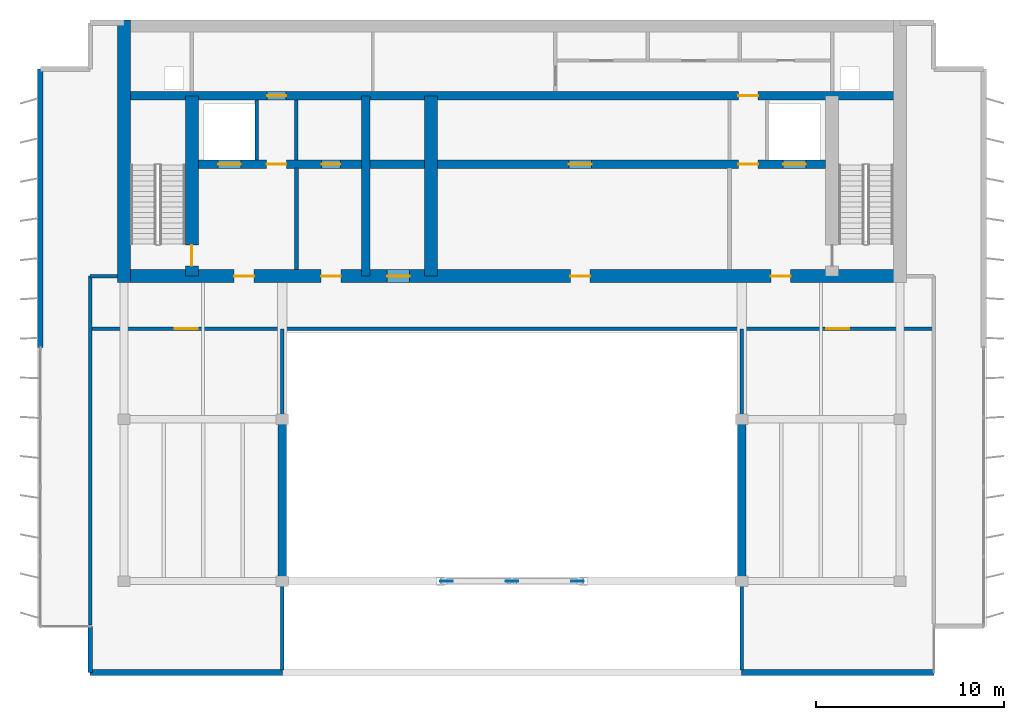
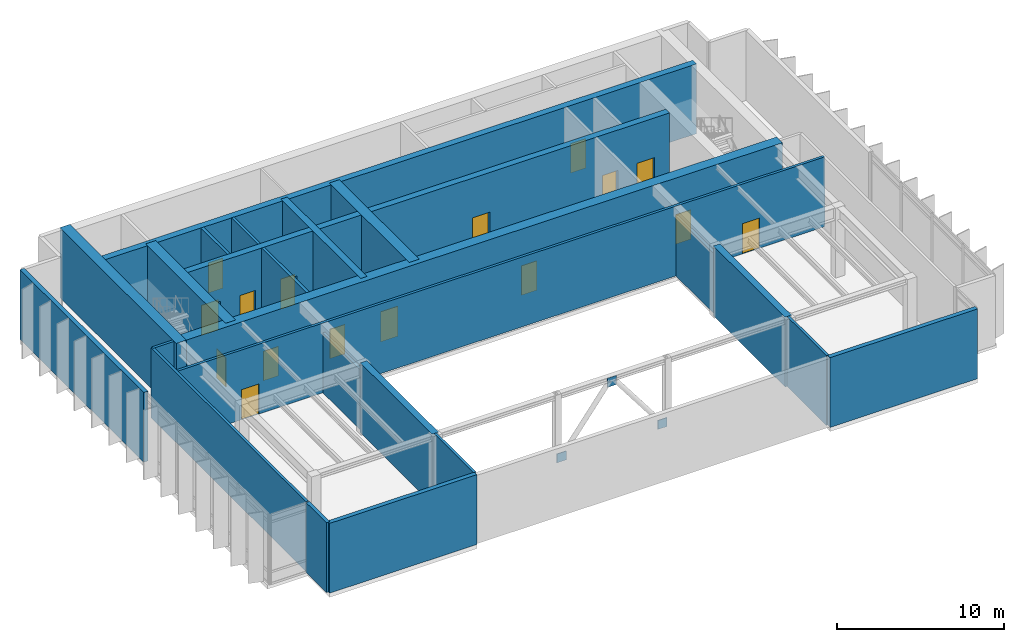
# One storey, part 5 of 9: 23 walls, 16 doors, 3 plates, 16 openings.
"""IFC4 building model written with IfcOpenShell, lengths in metres."""

from ifc_helpers import new_model, si_unit, direction, frame, frame_2d, origin, origin_2d, place, context, subcontext, project, spatial, rectangle, extrude, material, layer, layer_set, type_object, element, fill, save


model = new_model("IFC4")

# Units and contexts
model_context = context("Model", 3, precision=1e-05, world=origin(), true_north=direction((0.0, 1.0)))
body_context = subcontext(model_context, "Body", "Model", "MODEL_VIEW")
ifc_project = project(units=[si_unit("LENGTHUNIT", "METRE"), si_unit("AREAUNIT", "SQUARE_METRE"), si_unit("VOLUMEUNIT", "CUBIC_METRE"), si_unit("PLANEANGLEUNIT", "RADIAN"), si_unit("MASSUNIT", "GRAM", prefix="KILO")], contexts=[model_context])

# Site, building, storey
site_placement = place(None, origin())
site = spatial("IfcSite", under=ifc_project, at=site_placement, CompositionType="ELEMENT")
building_placement = place(site_placement, origin())
building = spatial("IfcBuilding", under=site, at=building_placement, Name="Caelmar Bay Residences", CompositionType="ELEMENT")
storey_placement = place(building_placement, frame((0.0, 0.0, 290.199951171875)))
storey = spatial("IfcBuildingStorey", under=building, at=storey_placement, Name="L80", CompositionType="ELEMENT", Elevation=290.199951171875)

# Plates
ifc_material_1 = material(Name="Steel ASTM A572 Grade 50", Category="steel")
ifc_layer_1 = layer(ifc_material_1, 0.044921875)
ifc_layer_set_1 = layer_set([ifc_layer_1], Name="Steel ASTM A572 Grade 50")
plate_type = type_object("IfcPlateType", Name="PLT-GUS-45", PredefinedType="USERDEFINED", material=ifc_layer_set_1)
for number, where, z_axis, x_axis, name in (
    (1, (35.41552734375, 20.800048828125, -0.0048828125), (0.0, 0.0, 1.0), (1.0, 0.0, 0.0), "L80 Structural Node Gusset Plate PLT-PRT-L80L"),
    (2, (42.384521484375, 20.800048828125, -0.0048828125), (0.0, 0.0, 1.0), (1.0, 0.0, 0.0), "L80 Structural Node Gusset Plate PLT-PRT-L80R"),
    (3, (38.89990234375, 20.800048828125, 4.297119140625), (0.0, 0.0, 1.0), (1.0, 0.0, 0.0), "L80 Structural Node Gusset Plate PLT-PRT-L80"),
):
    element("IfcPlate", number, at=place(storey_placement, frame(where, z_axis=z_axis, x_axis=x_axis)), inside=storey, type_object=plate_type, Name=name, ObjectType="GUSSET_PLATE", PredefinedType="USERDEFINED", context=body_context, shape_type="SweptSolid", body=[
        extrude(rectangle(XDim=0.64990234375, YDim=0.044921875, at=origin_2d()), origin(), (0.0, 0.0, 1.0), 0.64990234375),
    ])

# Wall, openings, doors
ifc_material_2 = material(Name="Concrete f'c 55 MPa (8,000 psi)", Category="concrete")
ifc_layer_2 = layer(ifc_material_2, 0.699951171875)
ifc_layer_set_2 = layer_set([ifc_layer_2], Name="Concrete f'c 55 MPa (8,000 psi)")
wall_type_1 = type_object("IfcWallType", Name="SW-COR-700", PredefinedType="SHEAR", material=ifc_layer_set_2)
wall_1_placement = place(storey_placement, frame((17.949951171875, 37.0, 0.0), z_axis=(0.0, 0.0, 1.0), x_axis=(1.0, 0.0, 0.0)))
wall_1 = element("IfcWall", 4, at=wall_1_placement, inside=storey, type_object=wall_type_1, Name="L80 Rear Core South Shear Wall", PredefinedType="SHEAR", context=body_context, shape_type="SweptSolid", body=[
    extrude(rectangle(XDim=41.900146484375, YDim=0.699951171875, at=frame_2d((20.9501953125, 0.0))), origin(), (0.0, 0.0, 1.0), 5.10009765625),
])
opening_1_placement = place(wall_1_placement, frame((14.3125, 0.0, 0.0)))
opening_1 = element("IfcOpeningElement", 5, at=opening_1_placement, cuts=wall_1, Name="Opening D-L80-103", PredefinedType="OPENING", context=body_context, shape_type="SweptSolid", body=[
    extrude(rectangle(XDim=1.199951171875, YDim=2.199951171875, at=frame_2d((0.60009765625, 1.10009765625))), frame((0.0, 0.35986328125, 0.0), z_axis=(0.0, -1.0, 0.0), x_axis=(1.0, 0.0, 0.0)), (0.0, 0.0, 1.0), 0.719970703125),
])
opening_2_placement = place(wall_1_placement, frame((6.199951171875, 0.0, 0.0)))
opening_2 = element("IfcOpeningElement", 6, at=opening_2_placement, cuts=wall_1, Name="Opening D-L80-104", PredefinedType="OPENING", context=body_context, shape_type="SweptSolid", body=[
    extrude(rectangle(XDim=1.050048828125, YDim=2.14990234375, at=frame_2d((0.52490234375, 1.074951171875))), frame((0.0, 0.35986328125, 0.0), z_axis=(0.0, -1.0, 0.0), x_axis=(1.0, 0.0, 0.0)), (0.0, 0.0, 1.0), 0.719970703125),
])
opening_3_placement = place(wall_1_placement, frame((34.699951171875, 0.0, 0.0)))
opening_3 = element("IfcOpeningElement", 7, at=opening_3_placement, cuts=wall_1, Name="Opening D-L80-107", PredefinedType="OPENING", context=body_context, shape_type="SweptSolid", body=[
    extrude(rectangle(XDim=1.050048828125, YDim=2.14990234375, at=frame_2d((0.52490234375, 1.074951171875))), frame((0.0, 0.35986328125, 0.0), z_axis=(0.0, -1.0, 0.0), x_axis=(1.0, 0.0, 0.0)), (0.0, 0.0, 1.0), 0.719970703125),
])
opening_4_placement = place(wall_1_placement, frame((10.8125, 0.0, 0.0)))
opening_4 = element("IfcOpeningElement", 8, at=opening_4_placement, cuts=wall_1, Name="Opening D-L80-110", PredefinedType="OPENING", context=body_context, shape_type="SweptSolid", body=[
    extrude(rectangle(XDim=1.050048828125, YDim=2.14990234375, at=frame_2d((0.52490234375, 1.074951171875))), frame((0.0, 0.35986328125, 0.0), z_axis=(0.0, -1.0, 0.0), x_axis=(1.0, 0.0, 0.0)), (0.0, 0.0, 1.0), 0.719970703125),
])
opening_5_placement = place(wall_1_placement, frame((24.050048828125, 0.0, 0.0)))
opening_5 = element("IfcOpeningElement", 9, at=opening_5_placement, cuts=wall_1, Name="Opening D-L80-112", PredefinedType="OPENING", context=body_context, shape_type="SweptSolid", body=[
    extrude(rectangle(XDim=1.050048828125, YDim=2.14990234375, at=frame_2d((0.52490234375, 1.074951171875))), frame((0.0, 0.35986328125, 0.0), z_axis=(0.0, -1.0, 0.0), x_axis=(1.0, 0.0, 0.0)), (0.0, 0.0, 1.0), 0.719970703125),
])
ifc_material_3 = material(Name="Fire-rated steel and walnut architectural door assembly", Category="steel")
ifc_layer_3 = layer(ifc_material_3, 0.050048828125)
ifc_layer_set_3 = layer_set([ifc_layer_3], Name="Fire-rated steel and walnut architectural door assembly")
door_type_1 = type_object("IfcDoorType", Name="D-FSAE-1050", OperationType="NOTDEFINED", PredefinedType="DOOR", material=ifc_layer_set_3)
door_1_placement = place(opening_2_placement, origin())
door_1 = element("IfcDoor", 10, at=door_1_placement, inside=storey, type_object=door_type_1, Name="L80 Firefighting Lobby West Door", OperationType="SINGLE_SWING_RIGHT", OverallHeight=2.14990234375, OverallWidth=1.050048828125, PredefinedType="DOOR", context=body_context, shape_type="SweptSolid", body=[
    extrude(rectangle(XDim=1.050048828125, YDim=2.14990234375, at=frame_2d((0.52490234375, 1.074951171875))), frame((0.0, 0.02490234375, 0.0), z_axis=(0.0, -1.0, 0.0), x_axis=(1.0, 0.0, 0.0)), (0.0, 0.0, 1.0), 0.050048828125),
])
fill(opening_2, door_1)
door_2_placement = place(opening_3_placement, origin())
door_2 = element("IfcDoor", 11, at=door_2_placement, inside=storey, type_object=door_type_1, Name="L80 Firefighting Lobby East Door", OperationType="SINGLE_SWING_LEFT", OverallHeight=2.14990234375, OverallWidth=1.050048828125, PredefinedType="DOOR", context=body_context, shape_type="SweptSolid", body=[
    extrude(rectangle(XDim=1.050048828125, YDim=2.14990234375, at=frame_2d((0.52490234375, 1.074951171875))), frame((0.0, 0.02490234375, 0.0), z_axis=(0.0, -1.0, 0.0), x_axis=(1.0, 0.0, 0.0)), (0.0, 0.0, 1.0), 0.050048828125),
])
fill(opening_3, door_2)
door_3_placement = place(opening_4_placement, origin())
door_3 = element("IfcDoor", 12, at=door_3_placement, inside=storey, type_object=door_type_1, Name="L80 West Lift Lobby Door", OperationType="SINGLE_SWING_RIGHT", OverallHeight=2.14990234375, OverallWidth=1.050048828125, PredefinedType="DOOR", context=body_context, shape_type="SweptSolid", body=[
    extrude(rectangle(XDim=1.050048828125, YDim=2.14990234375, at=frame_2d((0.52490234375, 1.074951171875))), frame((0.0, 0.02490234375, 0.0), z_axis=(0.0, -1.0, 0.0), x_axis=(1.0, 0.0, 0.0)), (0.0, 0.0, 1.0), 0.050048828125),
])
fill(opening_4, door_3)
door_4_placement = place(opening_5_placement, origin())
door_4 = element("IfcDoor", 13, at=door_4_placement, inside=storey, type_object=door_type_1, Name="L80 Passenger Lift Lobby Door", OperationType="SINGLE_SWING_RIGHT", OverallHeight=2.14990234375, OverallWidth=1.050048828125, PredefinedType="DOOR", context=body_context, shape_type="SweptSolid", body=[
    extrude(rectangle(XDim=1.050048828125, YDim=2.14990234375, at=frame_2d((0.52490234375, 1.074951171875))), frame((0.0, 0.02490234375, 0.0), z_axis=(0.0, -1.0, 0.0), x_axis=(1.0, 0.0, 0.0)), (0.0, 0.0, 1.0), 0.050048828125),
])
fill(opening_5, door_4)
ifc_layer_4 = layer(ifc_material_3, 0.050048828125)
ifc_layer_set_4 = layer_set([ifc_layer_4], Name="Fire-rated steel and walnut architectural door assembly")
door_type_2 = type_object("IfcDoorType", Name="D-PLANT-1200", OperationType="NOTDEFINED", PredefinedType="DOOR", material=ifc_layer_set_4)
door_5_placement = place(opening_1_placement, origin())
door_5 = element("IfcDoor", 14, at=door_5_placement, inside=storey, type_object=door_type_2, Name="L80 Crown Pressurisation Fan Room Door", OperationType="SINGLE_SWING_LEFT", OverallHeight=2.199951171875, OverallWidth=1.199951171875, PredefinedType="DOOR", context=body_context, shape_type="SweptSolid", body=[
    extrude(rectangle(XDim=1.199951171875, YDim=2.199951171875, at=frame_2d((0.60009765625, 1.10009765625))), frame((0.0, 0.02490234375, 0.0), z_axis=(0.0, -1.0, 0.0), x_axis=(1.0, 0.0, 0.0)), (0.0, 0.0, 1.0), 0.050048828125),
])
fill(opening_1, door_5)

# Wall
wall_2_placement = place(storey_placement, frame((18.300048828125, 36.64990234375, 0.0), z_axis=(0.0, 0.0, 1.0), x_axis=(0.0, 1.0, 0.0)))
element("IfcWall", 15, at=wall_2_placement, inside=storey, type_object=wall_type_1, Name="L80 Rear Core West Shear Wall", PredefinedType="SHEAR", context=body_context, shape_type="SweptSolid", body=[
    extrude(rectangle(XDim=13.9501953125, YDim=0.699951171875, at=frame_2d((6.97509765625, 0.0))), origin(), (0.0, 0.0, 1.0), 5.10009765625),
])

# Wall, opening, door
wall_3_placement = place(storey_placement, frame((21.89990234375, 37.0, 0.0), z_axis=(0.0, 0.0, 1.0), x_axis=(0.0, 1.0, 0.0)))
wall_3 = element("IfcWall", 16, at=wall_3_placement, inside=storey, type_object=wall_type_1, Name="L80 Core Structural Web Wall ST1E", PredefinedType="SHEAR", context=body_context, shape_type="SweptSolid", body=[
    extrude(rectangle(XDim=9.574951171875, YDim=0.699951171875, at=frame_2d((4.78759765625, 0.0))), origin(), (0.0, 0.0, 1.0), 5.10009765625),
])
opening_6_placement = place(wall_3_placement, frame((0.550048828125, 0.0, 0.0)))
opening_6 = element("IfcOpeningElement", 17, at=opening_6_placement, cuts=wall_3, Name="Opening D-L80-105", PredefinedType="OPENING", context=body_context, shape_type="SweptSolid", body=[
    extrude(rectangle(XDim=1.10009765625, YDim=2.14990234375, at=frame_2d((0.550048828125, 1.074951171875))), frame((0.0, 0.35986328125, 0.0), z_axis=(0.0, -1.0, 0.0), x_axis=(1.0, 0.0, 0.0)), (0.0, 0.0, 1.0), 0.719970703125),
])
ifc_layer_5 = layer(ifc_material_3, 0.050048828125)
ifc_layer_set_5 = layer_set([ifc_layer_5], Name="Fire-rated steel and walnut architectural door assembly")
door_type_3 = type_object("IfcDoorType", Name="D-STAIR-1100", OperationType="NOTDEFINED", PredefinedType="DOOR", material=ifc_layer_set_5)
door_6_placement = place(opening_6_placement, origin())
door_6 = element("IfcDoor", 18, at=door_6_placement, inside=storey, type_object=door_type_3, Name="L80 Firefighting Lobby West Door", OperationType="SINGLE_SWING_LEFT", OverallHeight=2.14990234375, OverallWidth=1.10009765625, PredefinedType="DOOR", context=body_context, shape_type="SweptSolid", body=[
    extrude(rectangle(XDim=1.10009765625, YDim=2.14990234375, at=frame_2d((0.550048828125, 1.074951171875))), frame((0.0, 0.02490234375, 0.0), z_axis=(0.0, -1.0, 0.0), x_axis=(1.0, 0.0, 0.0)), (0.0, 0.0, 1.0), 0.050048828125),
])
fill(opening_6, door_6)

# Walls
wall_4_placement = place(storey_placement, frame((34.60009765625, 37.0, 0.0), z_axis=(0.0, 0.0, 1.0), x_axis=(0.0, 1.0, 0.0)))
element("IfcWall", 19, at=wall_4_placement, inside=storey, type_object=wall_type_1, Name="L80 Core Structural Web Wall ST3E", PredefinedType="SHEAR", context=body_context, shape_type="SweptSolid", body=[
    extrude(rectangle(XDim=9.574951171875, YDim=0.699951171875, at=frame_2d((4.78759765625, 0.0))), origin(), (0.0, 0.0, 1.0), 5.10009765625),
])
ifc_material_4 = material(Name="Concrete f'c 70 MPa (10,000 psi)", Category="concrete")
ifc_layer_6 = layer(ifc_material_4, 0.449951171875)
ifc_layer_set_6 = layer_set([ifc_layer_6], Name="Concrete f'c 70 MPa (10,000 psi)")
wall_type_2 = type_object("IfcWallType", Name="SW-WEB-450", PredefinedType="SHEAR", material=ifc_layer_set_6)
wall_5_placement = place(storey_placement, frame((31.125, 37.0, 0.0), z_axis=(0.0, 0.0, 1.0), x_axis=(0.0, 1.0, 0.0)))
element("IfcWall", 20, at=wall_5_placement, inside=storey, type_object=wall_type_2, Name="L80 Core Structural Web Wall ST3W", PredefinedType="SHEAR", context=body_context, shape_type="SweptSolid", body=[
    extrude(rectangle(XDim=9.574951171875, YDim=0.449951171875, at=frame_2d((4.78759765625, 0.0))), origin(), (0.0, 0.0, 1.0), 5.10009765625),
])

# Wall, openings, doors
wall_6_placement = place(storey_placement, frame((22.25, 42.949951171875, 0.0), z_axis=(0.0, 0.0, 1.0), x_axis=(1.0, 0.0, 0.0)))
wall_6 = element("IfcWall", 21, at=wall_6_placement, inside=storey, type_object=wall_type_2, Name="L80 Core Structural Web Wall LFR", PredefinedType="SHEAR", context=body_context, shape_type="SweptSolid", body=[
    extrude(rectangle(XDim=33.300048828125, YDim=0.449951171875, at=frame_2d((16.64990234375, 0.0))), origin(), (0.0, 0.0, 1.0), 5.10009765625),
])
opening_7_placement = place(wall_6_placement, frame((1.050048828125, 0.0, 0.0)))
opening_7 = element("IfcOpeningElement", 22, at=opening_7_placement, cuts=wall_6, Name="Opening LD2", PredefinedType="OPENING", context=body_context, shape_type="SweptSolid", body=[
    extrude(rectangle(XDim=1.199951171875, YDim=2.199951171875, at=frame_2d((0.60009765625, 1.10009765625))), frame((0.0, 0.23486328125, 0.0), z_axis=(0.0, -1.0, 0.0), x_axis=(1.0, 0.0, 0.0)), (0.0, 0.0, 1.0), 0.469970703125),
])
opening_8_placement = place(wall_6_placement, frame((31.050048828125, 0.0, 0.0)))
opening_8 = element("IfcOpeningElement", 23, at=opening_8_placement, cuts=wall_6, Name="Opening LD2", PredefinedType="OPENING", context=body_context, shape_type="SweptSolid", body=[
    extrude(rectangle(XDim=1.199951171875, YDim=2.199951171875, at=frame_2d((0.60009765625, 1.10009765625))), frame((0.0, 0.23486328125, 0.0), z_axis=(0.0, -1.0, 0.0), x_axis=(1.0, 0.0, 0.0)), (0.0, 0.0, 1.0), 0.469970703125),
])
opening_9_placement = place(wall_6_placement, frame((3.625, 0.0, 0.0)))
opening_9 = element("IfcOpeningElement", 24, at=opening_9_placement, cuts=wall_6, Name="Opening D-L80-106", PredefinedType="OPENING", context=body_context, shape_type="SweptSolid", body=[
    extrude(rectangle(XDim=1.050048828125, YDim=2.14990234375, at=frame_2d((0.52490234375, 1.074951171875))), frame((0.0, 0.23486328125, 0.0), z_axis=(0.0, -1.0, 0.0), x_axis=(1.0, 0.0, 0.0)), (0.0, 0.0, 1.0), 0.469970703125),
])
opening_10_placement = place(wall_6_placement, frame((28.675048828125, 0.0, 0.0)))
opening_10 = element("IfcOpeningElement", 25, at=opening_10_placement, cuts=wall_6, Name="Opening D-L80-109", PredefinedType="OPENING", context=body_context, shape_type="SweptSolid", body=[
    extrude(rectangle(XDim=1.050048828125, YDim=2.14990234375, at=frame_2d((0.52490234375, 1.074951171875))), frame((0.0, 0.23486328125, 0.0), z_axis=(0.0, -1.0, 0.0), x_axis=(1.0, 0.0, 0.0)), (0.0, 0.0, 1.0), 0.469970703125),
])
opening_11_placement = place(wall_6_placement, frame((6.53759765625, 0.0, 0.0)))
opening_11 = element("IfcOpeningElement", 26, at=opening_11_placement, cuts=wall_6, Name="Opening D-L80-111", PredefinedType="OPENING", context=body_context, shape_type="SweptSolid", body=[
    extrude(rectangle(XDim=1.0, YDim=2.199951171875, at=frame_2d((0.5, 1.10009765625))), frame((0.0, 0.23486328125, 0.0), z_axis=(0.0, -1.0, 0.0), x_axis=(1.0, 0.0, 0.0)), (0.0, 0.0, 1.0), 0.469970703125),
])
opening_12_placement = place(wall_6_placement, frame((19.675048828125, 0.0, 0.0)))
opening_12 = element("IfcOpeningElement", 27, at=opening_12_placement, cuts=wall_6, Name="Opening D-L80-113", PredefinedType="OPENING", context=body_context, shape_type="SweptSolid", body=[
    extrude(rectangle(XDim=1.199951171875, YDim=2.199951171875, at=frame_2d((0.60009765625, 1.10009765625))), frame((0.0, 0.23486328125, 0.0), z_axis=(0.0, -1.0, 0.0), x_axis=(1.0, 0.0, 0.0)), (0.0, 0.0, 1.0), 0.469970703125),
])
door_7_placement = place(opening_9_placement, origin())
door_7 = element("IfcDoor", 28, at=door_7_placement, inside=storey, type_object=door_type_1, Name="L80 Firefighting Lobby West Door", OperationType="SINGLE_SWING_RIGHT", OverallHeight=2.14990234375, OverallWidth=1.050048828125, PredefinedType="DOOR", context=body_context, shape_type="SweptSolid", body=[
    extrude(rectangle(XDim=1.050048828125, YDim=2.14990234375, at=frame_2d((0.52490234375, 1.074951171875))), frame((0.0, 0.02490234375, 0.0), z_axis=(0.0, -1.0, 0.0), x_axis=(1.0, 0.0, 0.0)), (0.0, 0.0, 1.0), 0.050048828125),
])
fill(opening_9, door_7)
door_8_placement = place(opening_10_placement, origin())
door_8 = element("IfcDoor", 29, at=door_8_placement, inside=storey, type_object=door_type_1, Name="L80 Firefighting Lobby East Door", OperationType="SINGLE_SWING_LEFT", OverallHeight=2.14990234375, OverallWidth=1.050048828125, PredefinedType="DOOR", context=body_context, shape_type="SweptSolid", body=[
    extrude(rectangle(XDim=1.050048828125, YDim=2.14990234375, at=frame_2d((0.52490234375, 1.074951171875))), frame((0.0, 0.02490234375, 0.0), z_axis=(0.0, -1.0, 0.0), x_axis=(1.0, 0.0, 0.0)), (0.0, 0.0, 1.0), 0.050048828125),
])
fill(opening_10, door_8)
ifc_material_5 = material(Name="Brushed stainless-steel FSAE sliding landing door", Category="steel")
ifc_layer_7 = layer(ifc_material_5, 0.050048828125)
ifc_layer_set_7 = layer_set([ifc_layer_7], Name="Brushed stainless-steel FSAE sliding landing door")
door_type_4 = type_object("IfcDoorType", Name="D-LND-1200", OperationType="DOUBLE_DOOR_SLIDING", PredefinedType="DOOR", material=ifc_layer_set_7)
door_9_placement = place(opening_7_placement, origin())
door_9 = element("IfcDoor", 30, at=door_9_placement, inside=storey, type_object=door_type_4, Name="L80 LF1 Sliding Landing Door", OperationType="DOUBLE_DOOR_SLIDING", OverallHeight=2.199951171875, OverallWidth=1.199951171875, PredefinedType="DOOR", context=body_context, shape_type="SweptSolid", body=[
    extrude(rectangle(XDim=1.199951171875, YDim=2.199951171875, at=frame_2d((0.60009765625, 1.10009765625))), frame((0.0, 0.02490234375, 0.0), z_axis=(0.0, -1.0, 0.0), x_axis=(1.0, 0.0, 0.0)), (0.0, 0.0, 1.0), 0.050048828125),
])
fill(opening_7, door_9)
door_10_placement = place(opening_8_placement, origin())
door_10 = element("IfcDoor", 31, at=door_10_placement, inside=storey, type_object=door_type_4, Name="L80 LF2 Sliding Landing Door", OperationType="DOUBLE_DOOR_SLIDING", OverallHeight=2.199951171875, OverallWidth=1.199951171875, PredefinedType="DOOR", context=body_context, shape_type="SweptSolid", body=[
    extrude(rectangle(XDim=1.199951171875, YDim=2.199951171875, at=frame_2d((0.60009765625, 1.10009765625))), frame((0.0, 0.02490234375, 0.0), z_axis=(0.0, -1.0, 0.0), x_axis=(1.0, 0.0, 0.0)), (0.0, 0.0, 1.0), 0.050048828125),
])
fill(opening_8, door_10)
door_11_placement = place(opening_12_placement, origin())
door_11 = element("IfcDoor", 32, at=door_11_placement, inside=storey, type_object=door_type_2, Name="L80 Lift Machine Plant Room Door", OperationType="SINGLE_SWING_LEFT", OverallHeight=2.199951171875, OverallWidth=1.199951171875, PredefinedType="DOOR", context=body_context, shape_type="SweptSolid", body=[
    extrude(rectangle(XDim=1.199951171875, YDim=2.199951171875, at=frame_2d((0.60009765625, 1.10009765625))), frame((0.0, 0.02490234375, 0.0), z_axis=(0.0, -1.0, 0.0), x_axis=(1.0, 0.0, 0.0)), (0.0, 0.0, 1.0), 0.050048828125),
])
fill(opening_12, door_11)
ifc_layer_8 = layer(ifc_material_3, 0.050048828125)
ifc_layer_set_8 = layer_set([ifc_layer_8], Name="Fire-rated steel and walnut architectural door assembly")
door_type_5 = type_object("IfcDoorType", Name="D-UNIT-1000", OperationType="NOTDEFINED", PredefinedType="DOOR", material=ifc_layer_set_8)
door_12_placement = place(opening_11_placement, origin())
door_12 = element("IfcDoor", 33, at=door_12_placement, inside=storey, type_object=door_type_5, Name="L80 Core Equipment Closet Door", OperationType="SINGLE_SWING_LEFT", OverallHeight=2.199951171875, OverallWidth=1.0, PredefinedType="DOOR", context=body_context, shape_type="SweptSolid", body=[
    extrude(rectangle(XDim=1.0, YDim=2.199951171875, at=frame_2d((0.5, 1.10009765625))), frame((0.0, 0.02490234375, 0.0), z_axis=(0.0, -1.0, 0.0), x_axis=(1.0, 0.0, 0.0)), (0.0, 0.0, 1.0), 0.050048828125),
])
fill(opening_11, door_12)

wall_7_placement = place(storey_placement, frame((18.300048828125, 46.574951171875, 0.0), z_axis=(0.0, 0.0, 1.0), x_axis=(1.0, 0.0, 0.0)))
wall_7 = element("IfcWall", 34, at=wall_7_placement, inside=storey, type_object=wall_type_2, Name="L80 Core Structural Web Wall SRVS", PredefinedType="SHEAR", context=body_context, shape_type="SweptSolid", body=[
    extrude(rectangle(XDim=41.199951171875, YDim=0.449951171875, at=frame_2d((20.60009765625, 0.0))), origin(), (0.0, 0.0, 1.0), 5.10009765625),
])
opening_13_placement = place(wall_7_placement, frame((7.60009765625, 0.0, 0.0)))
opening_13 = element("IfcOpeningElement", 35, at=opening_13_placement, cuts=wall_7, Name="Opening D-L80-114", PredefinedType="OPENING", context=body_context, shape_type="SweptSolid", body=[
    extrude(rectangle(XDim=1.0, YDim=2.199951171875, at=frame_2d((0.5, 1.10009765625))), frame((0.0, 0.23486328125, 0.0), z_axis=(0.0, -1.0, 0.0), x_axis=(1.0, 0.0, 0.0)), (0.0, 0.0, 1.0), 0.469970703125),
])
opening_14_placement = place(wall_7_placement, frame((32.625, 0.0, 0.0)))
opening_14 = element("IfcOpeningElement", 36, at=opening_14_placement, cuts=wall_7, Name="Opening D-L80-115", PredefinedType="OPENING", context=body_context, shape_type="SweptSolid", body=[
    extrude(rectangle(XDim=1.050048828125, YDim=2.14990234375, at=frame_2d((0.52490234375, 1.074951171875))), frame((0.0, 0.23486328125, 0.0), z_axis=(0.0, -1.0, 0.0), x_axis=(1.0, 0.0, 0.0)), (0.0, 0.0, 1.0), 0.469970703125),
])
door_13_placement = place(opening_14_placement, origin())
door_13 = element("IfcDoor", 37, at=door_13_placement, inside=storey, type_object=door_type_1, Name="L80 East Core Service Corridor Door", OperationType="SINGLE_SWING_LEFT", OverallHeight=2.14990234375, OverallWidth=1.050048828125, PredefinedType="DOOR", context=body_context, shape_type="SweptSolid", body=[
    extrude(rectangle(XDim=1.050048828125, YDim=2.14990234375, at=frame_2d((0.52490234375, 1.074951171875))), frame((0.0, 0.02490234375, 0.0), z_axis=(0.0, -1.0, 0.0), x_axis=(1.0, 0.0, 0.0)), (0.0, 0.0, 1.0), 0.050048828125),
])
fill(opening_14, door_13)
door_14_placement = place(opening_13_placement, origin())
door_14 = element("IfcDoor", 38, at=door_14_placement, inside=storey, type_object=door_type_5, Name="L80 Package Concierge Office Door", OperationType="SINGLE_SWING_RIGHT", OverallHeight=2.199951171875, OverallWidth=1.0, PredefinedType="DOOR", context=body_context, shape_type="SweptSolid", body=[
    extrude(rectangle(XDim=1.0, YDim=2.199951171875, at=frame_2d((0.5, 1.10009765625))), frame((0.0, 0.02490234375, 0.0), z_axis=(0.0, -1.0, 0.0), x_axis=(1.0, 0.0, 0.0)), (0.0, 0.0, 1.0), 0.050048828125),
])
fill(opening_13, door_14)

# Walls
ifc_layer_9 = layer(ifc_material_2, 0.449951171875)
ifc_layer_set_9 = layer_set([ifc_layer_9], Name="Concrete f'c 55 MPa (8,000 psi)")
wall_type_3 = type_object("IfcWallType", Name="SW-XSLB-450", PredefinedType="SHEAR", material=ifc_layer_set_9)
for number, where, z_axis, x_axis, name in (
    (39, (26.699951171875, 20.800048828125, 0.0), (0.0, 0.0, 1.0), (0.0, 1.0, 0.0), "L80 Transverse Cross-Slab Shear Wall W5"),
    (40, (51.10009765625, 20.800048828125, 0.0), (0.0, 0.0, 1.0), (0.0, 1.0, 0.0), "L80 Transverse Cross-Slab Shear Wall E8"),
):
    element("IfcWall", number, at=place(storey_placement, frame(where, z_axis=z_axis, x_axis=x_axis)), inside=storey, type_object=wall_type_3, Name=name, PredefinedType="SHEAR", context=body_context, shape_type="SweptSolid", body=[
        extrude(rectangle(XDim=8.599853515625, YDim=0.449951171875, at=frame_2d((4.2998046875, 0.0))), origin(), (0.0, 0.0, 1.0), 5.10009765625),
    ])
ifc_material_6 = material(Name="Double-stud acoustic fire-rated gypsum partition 180 mm")
ifc_layer_10 = layer(ifc_material_6, 0.179931640625)
ifc_layer_set_10 = layer_set([ifc_layer_10], Name="Double-stud acoustic fire-rated gypsum partition 180 mm")
wall_type_4 = type_object("IfcWallType", Name="W-COR-200", PredefinedType="PARTITIONING", material=ifc_layer_set_10)
wall_8_placement = place(storey_placement, frame((16.5, 18.485107421875, 0.0), z_axis=(0.0, 0.0, 1.0), x_axis=(0.0, 1.0, 0.0)))
element("IfcWall", 41, at=wall_8_placement, inside=storey, type_object=wall_type_4, Name="L80 Partition Wall V001", PredefinedType="PARTITIONING", context=body_context, shape_type="SweptSolid", body=[
    extrude(rectangle(XDim=18.514892578125, YDim=0.179931640625, at=frame_2d((9.25732421875, 0.0))), origin(), (0.0, 0.0, 1.0), 5.10009765625),
])
wall_9_placement = place(storey_placement, frame((26.699951171875, 16.094970703125, 0.0), z_axis=(0.0, 0.0, 1.0), x_axis=(0.0, 1.0, 0.0)))
element("IfcWall", 42, at=wall_9_placement, inside=storey, type_object=wall_type_4, Name="L80 Partition Wall V004", PredefinedType="PARTITIONING", context=body_context, shape_type="SweptSolid", body=[
    extrude(rectangle(XDim=4.699951171875, YDim=0.179931640625, at=frame_2d((2.35009765625, 0.0))), origin(), (0.0, 0.0, 1.0), 5.10009765625),
])
wall_10_placement = place(storey_placement, frame((26.699951171875, 29.405029296875, 0.0), z_axis=(0.0, 0.0, 1.0), x_axis=(0.0, 1.0, 0.0)))
element("IfcWall", 43, at=wall_10_placement, inside=storey, type_object=wall_type_4, Name="L80 Partition Wall V005", PredefinedType="PARTITIONING", context=body_context, shape_type="SweptSolid", body=[
    extrude(rectangle(XDim=4.794921875, YDim=0.179931640625, at=frame_2d((2.3974609375, 0.0))), origin(), (0.0, 0.0, 1.0), 4.385009765625),
])
wall_11_placement = place(storey_placement, frame((27.449951171875, 43.169921875, 0.0), z_axis=(0.0, 0.0, 1.0), x_axis=(0.0, 1.0, 0.0)))
element("IfcWall", 44, at=wall_11_placement, inside=storey, type_object=wall_type_4, Name="L80 Partition Wall V007", PredefinedType="PARTITIONING", context=body_context, shape_type="SweptSolid", body=[
    extrude(rectangle(XDim=3.18505859375, YDim=0.179931640625, at=frame_2d((1.592529296875, 0.0))), origin(), (0.0, 0.0, 1.0), 5.10009765625),
])
wall_12_placement = place(storey_placement, frame((51.10009765625, 16.094970703125, 0.0), z_axis=(0.0, 0.0, 1.0), x_axis=(0.0, 1.0, 0.0)))
element("IfcWall", 45, at=wall_12_placement, inside=storey, type_object=wall_type_4, Name="L80 Partition Wall V014", PredefinedType="PARTITIONING", context=body_context, shape_type="SweptSolid", body=[
    extrude(rectangle(XDim=4.699951171875, YDim=0.179931640625, at=frame_2d((2.35009765625, 0.0))), origin(), (0.0, 0.0, 1.0), 5.10009765625),
])
wall_13_placement = place(storey_placement, frame((51.10009765625, 29.405029296875, 0.0), z_axis=(0.0, 0.0, 1.0), x_axis=(0.0, 1.0, 0.0)))
element("IfcWall", 46, at=wall_13_placement, inside=storey, type_object=wall_type_4, Name="L80 Partition Wall V015", PredefinedType="PARTITIONING", context=body_context, shape_type="SweptSolid", body=[
    extrude(rectangle(XDim=4.794921875, YDim=0.179931640625, at=frame_2d((2.3974609375, 0.0))), origin(), (0.0, 0.0, 1.0), 4.385009765625),
])

# Wall, openings, doors
wall_14_placement = place(storey_placement, frame((16.5, 34.199951171875, 0.0), z_axis=(0.0, 0.0, 1.0), x_axis=(1.0, 0.0, 0.0)))
wall_14 = element("IfcWall", 47, at=wall_14_placement, inside=storey, type_object=wall_type_4, Name="L80 Partition Wall H019", PredefinedType="PARTITIONING", context=body_context, shape_type="SweptSolid", body=[
    extrude(rectangle(XDim=44.800048828125, YDim=0.179931640625, at=frame_2d((22.39990234375, 0.0))), origin(), (0.0, 0.0, 1.0), 5.10009765625),
])
opening_15_placement = place(wall_14_placement, frame((4.5, 0.0, 0.0)))
opening_15 = element("IfcOpeningElement", 48, at=opening_15_placement, cuts=wall_14, Name="Opening D-L80-120", PredefinedType="OPENING", context=body_context, shape_type="SweptSolid", body=[
    extrude(rectangle(XDim=1.199951171875, YDim=2.199951171875, at=frame_2d((0.60009765625, 1.10009765625))), frame((0.0, 0.099853515625, 0.0), z_axis=(0.0, -1.0, 0.0), x_axis=(1.0, 0.0, 0.0)), (0.0, 0.0, 1.0), 0.199951171875),
])
opening_16_placement = place(wall_14_placement, frame((39.10009765625, 0.0, 0.0)))
opening_16 = element("IfcOpeningElement", 49, at=opening_16_placement, cuts=wall_14, Name="Opening D-L80-121", PredefinedType="OPENING", context=body_context, shape_type="SweptSolid", body=[
    extrude(rectangle(XDim=1.199951171875, YDim=2.199951171875, at=frame_2d((0.60009765625, 1.10009765625))), frame((0.0, 0.099853515625, 0.0), z_axis=(0.0, -1.0, 0.0), x_axis=(1.0, 0.0, 0.0)), (0.0, 0.0, 1.0), 0.199951171875),
])
door_15_placement = place(opening_15_placement, origin())
door_15 = element("IfcDoor", 50, at=door_15_placement, inside=storey, type_object=door_type_2, Name="L80 West Turbine Control Plant Room L80 Door", OperationType="SINGLE_SWING_RIGHT", OverallHeight=2.199951171875, OverallWidth=1.199951171875, PredefinedType="DOOR", context=body_context, shape_type="SweptSolid", body=[
    extrude(rectangle(XDim=1.199951171875, YDim=2.199951171875, at=frame_2d((0.60009765625, 1.10009765625))), frame((0.0, 0.02490234375, 0.0), z_axis=(0.0, -1.0, 0.0), x_axis=(1.0, 0.0, 0.0)), (0.0, 0.0, 1.0), 0.050048828125),
])
fill(opening_15, door_15)
door_16_placement = place(opening_16_placement, origin())
door_16 = element("IfcDoor", 51, at=door_16_placement, inside=storey, type_object=door_type_2, Name="L80 East Turbine Inverter Plant Room L80 Door", OperationType="SINGLE_SWING_LEFT", OverallHeight=2.199951171875, OverallWidth=1.199951171875, PredefinedType="DOOR", context=body_context, shape_type="SweptSolid", body=[
    extrude(rectangle(XDim=1.199951171875, YDim=2.199951171875, at=frame_2d((0.60009765625, 1.10009765625))), frame((0.0, 0.02490234375, 0.0), z_axis=(0.0, -1.0, 0.0), x_axis=(1.0, 0.0, 0.0)), (0.0, 0.0, 1.0), 0.050048828125),
])
fill(opening_16, door_16)

# Walls
wall_15_placement = place(storey_placement, frame((16.5, 37.0, 0.0), z_axis=(0.0, 0.0, 1.0), x_axis=(1.0, 0.0, 0.0)))
element("IfcWall", 52, at=wall_15_placement, inside=storey, type_object=wall_type_4, Name="L80 Partition Wall H020", PredefinedType="PARTITIONING", context=body_context, shape_type="SweptSolid", body=[
    extrude(rectangle(XDim=1.445068359375, YDim=0.179931640625, at=frame_2d((0.72265625, 0.0))), origin(), (0.0, 0.0, 1.0), 5.10009765625),
])
ifc_material_7 = material(Name="Precast concrete f'c 40 MPa (6,000 psi)", Category="concrete")
ifc_layer_11 = layer(ifc_material_7, 0.25)
ifc_layer_set_11 = layer_set([ifc_layer_11], Name="Precast concrete f'c 40 MPa (6,000 psi)")
wall_type_5 = type_object("IfcWallType", Name="W-EXT-250", PredefinedType="ELEMENTEDWALL", material=ifc_layer_set_11)
wall_16_placement = place(storey_placement, frame((16.5, 18.39990234375, 0.0), z_axis=(0.0, 0.0, 1.0), x_axis=(0.0, -1.0, 0.0)))
element("IfcWall", 53, at=wall_16_placement, inside=storey, type_object=wall_type_5, Name="L80 SW Notch Return Wall", PredefinedType="ELEMENTEDWALL", context=body_context, shape_type="SweptSolid", body=[
    extrude(rectangle(XDim=2.449951171875, YDim=0.25, at=frame_2d((1.22509765625, 0.0))), origin(), (0.0, 0.0, 1.0), 5.10009765625),
])
ifc_layer_12 = layer(ifc_material_7, 0.300048828125)
ifc_layer_set_12 = layer_set([ifc_layer_12], Name="Precast concrete f'c 40 MPa (6,000 psi)")
wall_type_6 = type_object("IfcWallType", Name="W-EXT-300", PredefinedType="STANDARD", material=ifc_layer_set_12)
for number, where, z_axis, x_axis, name in (
    (54, (61.300048828125, 15.949951171875, 0.0), (0.0, 0.0, 1.0), (-1.0, 0.0, 0.0), "L80 South-East Crown Wall"),
    (55, (26.699951171875, 15.949951171875, 0.0), (0.0, 0.0, 1.0), (-1.0, 0.0, 0.0), "L80 South-West Crown Wall"),
):
    element("IfcWall", number, at=place(storey_placement, frame(where, z_axis=z_axis, x_axis=x_axis)), inside=storey, type_object=wall_type_6, Name=name, PredefinedType="STANDARD", context=body_context, shape_type="SweptSolid", body=[
        extrude(rectangle(XDim=10.199951171875, YDim=0.300048828125, at=frame_2d((5.10009765625, 0.0))), origin(), (0.0, 0.0, 1.0), 5.10009765625),
    ])
wall_17_placement = place(storey_placement, frame((13.85009765625, 33.199951171875, 0.0), z_axis=(0.0, 0.0, 1.0), x_axis=(0.0, 1.0, 0.0)))
element("IfcWall", 56, at=wall_17_placement, inside=storey, type_object=wall_type_6, Name="L80 West Rear Exterior Wall", PredefinedType="STANDARD", context=body_context, shape_type="SweptSolid", body=[
    extrude(rectangle(XDim=14.800048828125, YDim=0.300048828125, at=frame_2d((7.39990234375, 0.0))), origin(), (0.0, 0.0, 1.0), 5.10009765625),
])
ifc_material_8 = material(Name="Fire-rated masonry and gypsum shaftliner assembly 200 mm", Category="masonry")
ifc_layer_13 = layer(ifc_material_8, 0.199951171875)
ifc_layer_set_13 = layer_set([ifc_layer_13], Name="Fire-rated masonry and gypsum shaftliner assembly 200 mm")
wall_type_7 = type_object("IfcWallType", Name="W-FSAE-200", PredefinedType="PARTITIONING", material=ifc_layer_set_13)
wall_18_placement = place(storey_placement, frame((25.35009765625, 43.169921875, 0.0), z_axis=(0.0, 0.0, 1.0), x_axis=(0.0, 1.0, 0.0)))
element("IfcWall", 57, at=wall_18_placement, inside=storey, type_object=wall_type_7, Name="L80 Partition Wall V003", PredefinedType="PARTITIONING", context=body_context, shape_type="SweptSolid", body=[
    extrude(rectangle(XDim=3.18505859375, YDim=0.199951171875, at=frame_2d((1.592529296875, 0.0))), origin(), (0.0, 0.0, 1.0), 5.10009765625),
])
wall_19_placement = place(storey_placement, frame((27.449951171875, 37.344970703125, 0.0), z_axis=(0.0, 0.0, 1.0), x_axis=(0.0, 1.0, 0.0)))
element("IfcWall", 58, at=wall_19_placement, inside=storey, type_object=wall_type_7, Name="L80 Partition Wall V006", PredefinedType="PARTITIONING", context=body_context, shape_type="SweptSolid", body=[
    extrude(rectangle(XDim=5.385009765625, YDim=0.199951171875, at=frame_2d((2.6923828125, 0.0))), origin(), (0.0, 0.0, 1.0), 5.10009765625),
])

save(model, "model.ifc")
